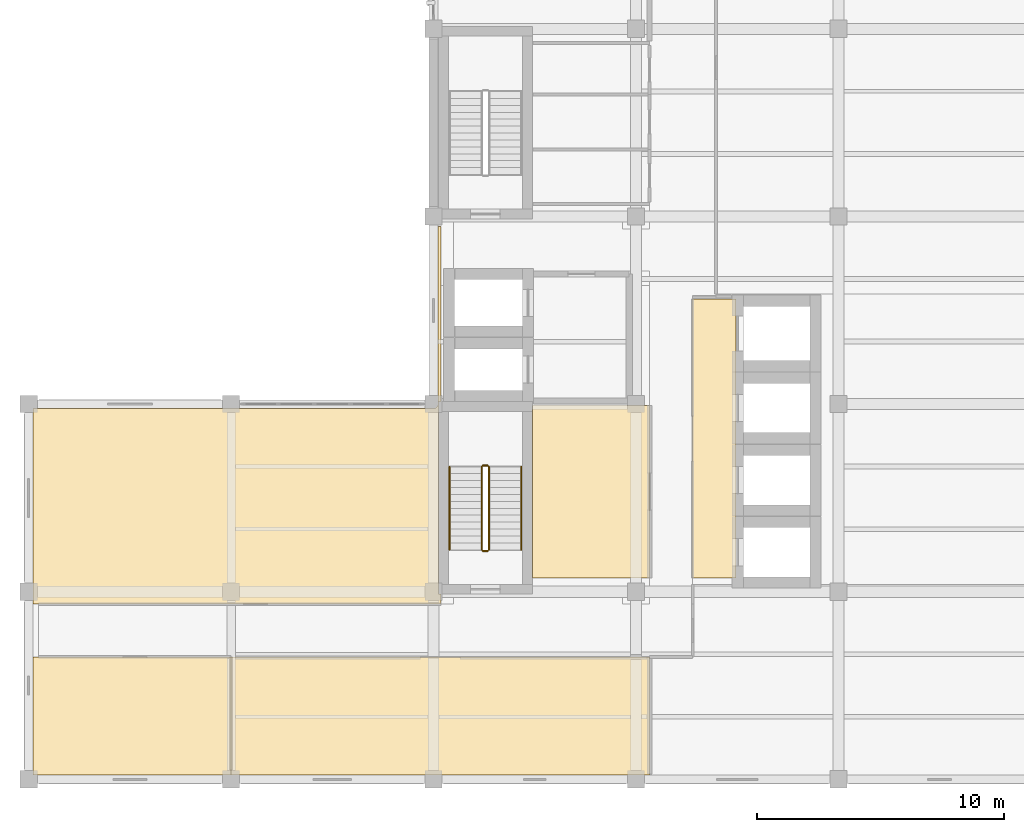
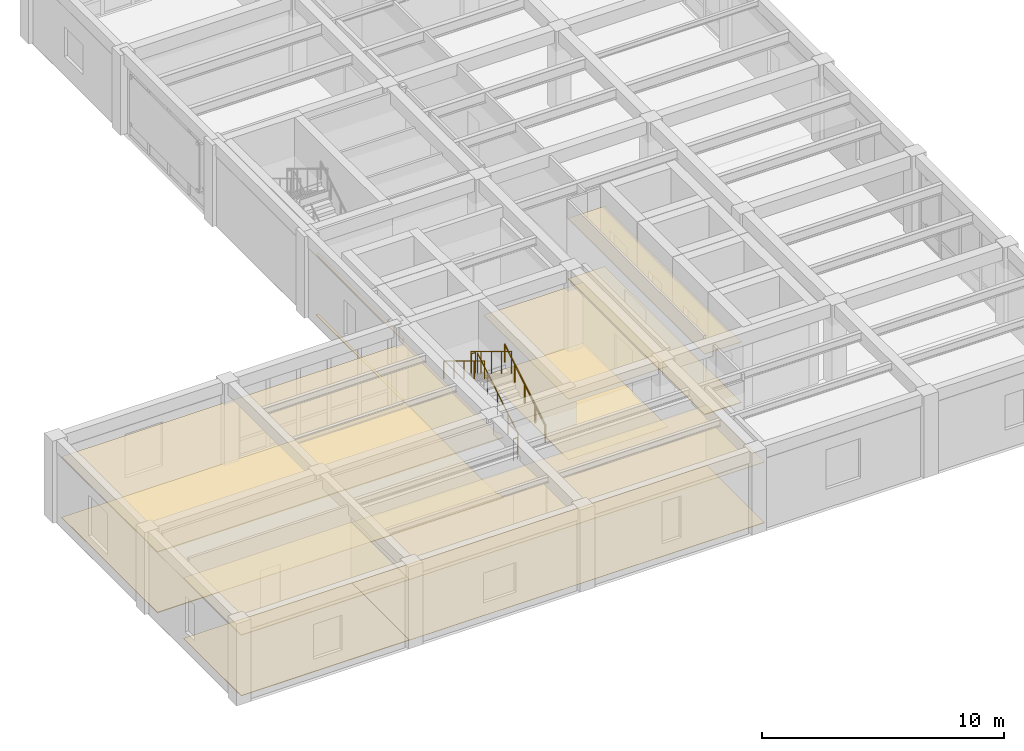
# One storey, part 10 of 13: 10 coverings, 6 railings.
"""IFC4 building model written with IfcOpenShell, lengths in metres."""

import ifcopenshell
import ifcopenshell.guid

model = None  # the IFC model being written
_history = None  # IfcOwnerHistory: only IFC2X3 demands one
_inside = {}  # id of a spatial element -> (the spatial element, [elements in it])
_under = {}  # id of a project, library or spatial element -> (it, [spatial elements below it])
_declared = {}  # id of a project -> (the project, [libraries it declares])
_typed = {}  # id of a type object -> (the type object, [elements of that type])
_made_of = {}  # id of a material, layer set ... -> (it, [elements and type objects made of it])


def new_model(schema):
    """Start an empty IFC model of exactly this schema.

    Asked for "IFC4X3", IfcOpenShell would pick the latest addendum, in which some entities
    have other attributes; the version numbers below select the first issue.
    IFC2X3 requires an IfcOwnerHistory on every rooted entity: one is made here for all.
    """
    global model, _history
    if schema == "IFC4X3":
        model = ifcopenshell.file(schema_version=(4, 3, 0, 0))
    else:
        model = ifcopenshell.file(schema=schema)
    _inside.clear()
    _under.clear()
    _declared.clear()
    _typed.clear()
    _made_of.clear()
    _history = None
    if model.schema == "IFC2X3":
        org = make("IfcOrganization", Name="unknown")
        user = make(
            "IfcPersonAndOrganization",
            ThePerson=make("IfcPerson", FamilyName="unknown"),
            TheOrganization=org,
        )
        app = make(
            "IfcApplication",
            ApplicationDeveloper=org,
            Version="unknown",
            ApplicationFullName="unknown",
            ApplicationIdentifier="unknown",
        )
        _history = make(
            "IfcOwnerHistory",
            OwningUser=user,
            OwningApplication=app,
            ChangeAction="ADDED",
            CreationDate=0,
        )
    return model


def make(cls, **values):
    """One entity of the class cls with the attributes given. An attribute that is None is left unset."""
    return model.create_entity(
        cls, **{name: value for name, value in values.items() if value is not None}
    )


def rooted(cls, **values):
    """An entity with a GlobalId (a new one), such as an element, a storey or a relation."""
    return make(cls, GlobalId=ifcopenshell.guid.new(), OwnerHistory=_history, **values)


def si_unit(unit_type, name, prefix=None):
    """IfcSIUnit, for example si_unit("LENGTHUNIT", "METRE", prefix="MILLI")."""
    return make("IfcSIUnit", UnitType=unit_type, Prefix=prefix, Name=name)


def assignment(units):
    """IfcUnitAssignment: the units of a project."""
    return None if units is None else make("IfcUnitAssignment", Units=units)


def point(xyz):
    """IfcCartesianPoint."""
    return None if xyz is None else make("IfcCartesianPoint", Coordinates=xyz)


def direction(xyz):
    """IfcDirection."""
    return None if xyz is None else make("IfcDirection", DirectionRatios=xyz)


def frame(location, z_axis=None, x_axis=None):
    """IfcAxis2Placement3D, a coordinate frame: its origin and axes. An axis left out is left unset."""
    return make(
        "IfcAxis2Placement3D",
        Location=point(location),
        Axis=direction(z_axis),
        RefDirection=direction(x_axis),
    )


def frame_2d(location, x_axis=None):
    """IfcAxis2Placement2D, a coordinate frame in the plane: its origin and x axis."""
    return make(
        "IfcAxis2Placement2D", Location=point(location), RefDirection=direction(x_axis)
    )


def origin():
    """The frame at (0, 0, 0) with its axes left unset."""
    return frame((0.0, 0.0, 0.0))


def origin_2d():
    """The frame at (0, 0) in the plane with its x axis left unset."""
    return frame_2d((0.0, 0.0))


def place(relative_to, where):
    """IfcLocalPlacement: puts the frame where relative to a parent placement (None: the world)."""
    return make(
        "IfcLocalPlacement", PlacementRelTo=relative_to, RelativePlacement=where
    )


def context(
    kind, dimensions, precision=None, world=None, true_north=None, identifier=None
):
    """IfcGeometricRepresentationContext, for example the 3D "Model" context."""
    return make(
        "IfcGeometricRepresentationContext",
        ContextIdentifier=identifier,
        ContextType=kind,
        CoordinateSpaceDimension=dimensions,
        Precision=precision,
        WorldCoordinateSystem=world,
        TrueNorth=true_north,
    )


def subcontext(parent, identifier, kind, view, scale=None):
    """IfcGeometricRepresentationSubContext, for example "Body" below "Model"."""
    return make(
        "IfcGeometricRepresentationSubContext",
        ContextIdentifier=identifier,
        ContextType=kind,
        ParentContext=parent,
        TargetScale=scale,
        TargetView=view,
    )


def project(units=None, contexts=None):
    """IfcProject with its units and contexts."""
    return rooted(
        "IfcProject",
        Name="project",
        RepresentationContexts=contexts,
        UnitsInContext=assignment(units),
    )


def spatial(cls, under=None, at=None, **own):
    """A site, building, storey or space (cls), placed at a placement, below another one or the project."""
    s = rooted(cls, ObjectPlacement=at, **own)
    if under is not None:
        _under.setdefault(under.id(), (under, []))[1].append(s)
    return s


def polyline(points):
    """IfcPolyline through the points."""
    return make("IfcPolyline", Points=[point(p) for p in points])


def profile(cls, at=None, kind="AREA", **sizes):
    """A parametric profile (cls). Its sizes go by their IFC names, for example OverallWidth=200.0."""
    return make(cls, ProfileType=kind, Position=at, **sizes)


def circle(**sizes):
    """IfcCircleProfileDef."""
    return profile("IfcCircleProfileDef", **sizes)


def outline(outer, holes=None, kind="AREA"):
    """IfcArbitraryClosedProfileDef: a profile drawn as a closed curve; with holes, ...WithVoids."""
    if holes is None:
        return make("IfcArbitraryClosedProfileDef", ProfileType=kind, OuterCurve=outer)
    return make(
        "IfcArbitraryProfileDefWithVoids",
        ProfileType=kind,
        OuterCurve=outer,
        InnerCurves=holes,
    )


def extrude(swept, where, along, depth):
    """IfcExtrudedAreaSolid: the profile swept, set in the frame where, extruded along a direction by depth."""
    return make(
        "IfcExtrudedAreaSolid",
        SweptArea=swept,
        Position=where,
        ExtrudedDirection=direction(along),
        Depth=depth,
    )


def shape(context_of_items, identifier, shape_type, items):
    """IfcShapeRepresentation: the items that make up one representation, for example the "Body"."""
    return make(
        "IfcShapeRepresentation",
        ContextOfItems=context_of_items,
        RepresentationIdentifier=identifier,
        RepresentationType=shape_type,
        Items=items,
    )


def material(Name=None, Category=None):
    """IfcMaterial."""
    return make("IfcMaterial", Name=Name, Category=Category)


def layer(
    of_material, thickness, ventilated=None, Name=None, Category=None, Priority=None
):
    """IfcMaterialLayer: one layer of a wall or slab, of a material (None: an air gap)."""
    return make(
        "IfcMaterialLayer",
        Material=of_material,
        LayerThickness=thickness,
        IsVentilated=ventilated,
        Name=Name,
        Category=Category,
        Priority=Priority,
    )


def layer_set(layers, Name=None):
    """IfcMaterialLayerSet."""
    return make("IfcMaterialLayerSet", MaterialLayers=layers, LayerSetName=Name)


def made_of(thing, what):
    """Note that an element or type object is made of a material, layer set ...; save() writes the relation."""
    if what is not None:
        _made_of.setdefault(what.id(), (what, []))[1].append(thing)
    return thing


def type_object(cls, material=None, **own):
    """A type object (cls), such as IfcWallType, which elements share."""
    return made_of(rooted(cls, **own), material)


def element(
    cls,
    number,
    at=None,
    inside=None,
    cuts=None,
    type_object=None,
    material=None,
    context=None,
    identifier="Body",
    shape_type=None,
    held_by="IfcProductDefinitionShape",
    body=None,
    shapes=None,
    **own,
):
    """One element of the class cls, such as IfcWall. Its Tag is "e" and its number.

    at: its placement. inside: the storey or other place that contains it. cuts: it is an
    opening in that element (IfcRelVoidsElement). A single representation is given by context,
    identifier, shape_type and body (its items); several are given by shapes. held_by: the class
    of the entity that holds the representations. save() writes the other relations.
    """
    e = rooted(cls, Tag="e%d" % number, ObjectPlacement=at, **own)
    if body is not None:
        shapes = [shape(context, identifier, shape_type, body)]
    if shapes is not None:
        e.Representation = make(held_by, Representations=shapes)
    if inside is not None:
        _inside.setdefault(inside.id(), (inside, []))[1].append(e)
    if cuts is not None:
        rooted(
            "IfcRelVoidsElement", RelatingBuildingElement=cuts, RelatedOpeningElement=e
        )
    if type_object is not None:
        _typed.setdefault(type_object.id(), (type_object, []))[1].append(e)
    return made_of(e, material)


def aggregate(whole, parts):
    """IfcRelAggregates: a whole, such as a stair, and the parts it consists of."""
    return rooted("IfcRelAggregates", RelatingObject=whole, RelatedObjects=parts)


def save(model, path):
    """Write the relations noted so far, then the file.

    IfcRelAggregates (storeys below a building ...), IfcRelContainedInSpatialStructure (elements
    in a storey), IfcRelDefinesByType, IfcRelAssociatesMaterial and IfcRelDeclares: one each for
    every whole, place, type object, material and project.
    """
    for whole, parts in _under.values():
        aggregate(whole, parts)
    for where, things in _inside.values():
        rooted(
            "IfcRelContainedInSpatialStructure",
            RelatedElements=things,
            RelatingStructure=where,
        )
    for kind, things in _typed.values():
        rooted("IfcRelDefinesByType", RelatedObjects=things, RelatingType=kind)
    for what, things in _made_of.values():
        rooted("IfcRelAssociatesMaterial", RelatedObjects=things, RelatingMaterial=what)
    for by, libraries in _declared.values():
        rooted("IfcRelDeclares", RelatingContext=by, RelatedDefinitions=libraries)
    model.write(path)


model = new_model("IFC4")

# Units and contexts
model_context = context("Model", 3, precision=1e-05, world=origin(), true_north=direction((0.0, 1.0)))
body_context = subcontext(model_context, "Body", "Model", "MODEL_VIEW")
ifc_project = project(units=[si_unit("LENGTHUNIT", "METRE"), si_unit("AREAUNIT", "SQUARE_METRE"), si_unit("VOLUMEUNIT", "CUBIC_METRE"), si_unit("PLANEANGLEUNIT", "RADIAN"), si_unit("MASSUNIT", "GRAM", prefix="KILO")], contexts=[model_context])

# Site, building, storey
site_placement = place(None, origin())
site = spatial("IfcSite", under=ifc_project, at=site_placement, CompositionType="ELEMENT")
building_placement = place(site_placement, origin())
building = spatial("IfcBuilding", under=site, at=building_placement, Name="Qandaris Square Conservatory and Botanical Centre", CompositionType="ELEMENT")
storey_placement = place(building_placement, frame((0.0, 0.0, 61.800048828125)))
storey = spatial("IfcBuildingStorey", under=building, at=storey_placement, Name="L14", CompositionType="ELEMENT", Elevation=61.800048828125)

# Coverings
ifc_material_1 = material(Name="Honed Qatari Limestone", Category="masonry")
ifc_layer_1 = layer(ifc_material_1, 0.030029296875)
ifc_layer_set_1 = layer_set([ifc_layer_1], Name="Honed Qatari Limestone")
covering_type_1 = type_object("IfcCoveringType", Name="Honed Qatari Limestone Concourse Paving", PredefinedType="FLOORING", material=ifc_layer_set_1)
covering_1_placement = place(storey_placement, origin())
element("IfcCovering", 1, at=covering_1_placement, inside=storey, type_object=covering_type_1, Name="Passenger Lift Lobby L14 Flooring", PredefinedType="FLOORING", context=body_context, shape_type="SweptSolid", body=[
    extrude(outline(polyline([(149.699951171875, 36.050048828125), (151.449951171875, 36.050048828125), (151.449951171875, 24.75), (149.699951171875, 24.75), (149.699951171875, 36.050048828125)])), origin(), (0.0, 0.0, 1.0), 0.030029296875),
])
covering_2_placement = place(storey_placement, origin())
element("IfcCovering", 2, at=covering_2_placement, inside=storey, type_object=covering_type_1, Name="Botanical Policy Research Laboratory Flooring", PredefinedType="FLOORING", context=body_context, shape_type="SweptSolid", body=[
    extrude(outline(polyline([(123.199951171875, 21.550048828125), (131.0, 21.550048828125), (131.0, 16.780029296875), (122.97998046875, 16.780029296875), (122.97998046875, 21.550048828125), (123.199951171875, 21.550048828125)])), origin(), (0.0, 0.0, 1.0), 0.030029296875),
])
covering_3_placement = place(storey_placement, origin())
element("IfcCovering", 3, at=covering_3_placement, inside=storey, type_object=covering_type_1, Name="Directorate Research Laboratory Flooring", PredefinedType="FLOORING", context=body_context, shape_type="SweptSolid", body=[
    extrude(outline(polyline([(139.235107421875, 31.62353515625), (139.252197265625, 31.627685546875), (139.268798828125, 31.6337890625), (139.284912109375, 31.641357421875), (139.300048828125, 31.650390625), (139.314208984375, 31.660888671875), (139.327392578125, 31.672607421875), (139.339111328125, 31.685791015625), (139.349609375, 31.699951171875), (139.358642578125, 31.715087890625), (139.3662109375, 31.731201171875), (139.372314453125, 31.747802734375), (139.37646484375, 31.764892578125), (139.379150390625, 31.782470703125), (139.3798828125, 31.800048828125), (139.3798828125, 39.0), (139.5, 39.0), (139.5, 31.89990234375), (139.39990234375, 31.89990234375), (139.39990234375, 24.10009765625), (139.5, 24.10009765625), (139.5, 23.699951171875), (123.199951171875, 23.699951171875), (122.97998046875, 23.699951171875), (122.97998046875, 31.6201171875), (139.199951171875, 31.6201171875), (139.217529296875, 31.620849609375), (139.235107421875, 31.62353515625)])), origin(), (0.0, 0.0, 1.0), 0.030029296875),
])
ifc_material_2 = material(Name="Gypsum Plasterboard", Category="gypsum")
ifc_layer_2 = layer(ifc_material_2, 0.02490234375)
ifc_layer_set_2 = layer_set([ifc_layer_2], Name="Gypsum Plasterboard")
covering_type_2 = type_object("IfcCoveringType", Name="Perforated Acoustic Lab Ceiling Tile", PredefinedType="CEILING", material=ifc_layer_set_2)
covering_4_placement = place(storey_placement, frame((0.0, 0.0, 3.050048828125)))
element("IfcCovering", 4, at=covering_4_placement, inside=storey, type_object=covering_type_2, Name="Electrical and Telecom Riser Room L14 Ceiling", PredefinedType="CEILING", context=body_context, shape_type="SweptSolid", body=[
    extrude(outline(polyline([(147.949951171875, 31.75), (147.949951171875, 24.75), (143.199951171875, 24.75), (143.199951171875, 31.75), (147.949951171875, 31.75)])), origin(), (0.0, 0.0, 1.0), 0.02490234375),
])
covering_5_placement = place(storey_placement, frame((0.0, 0.0, 3.050048828125)))
element("IfcCovering", 5, at=covering_5_placement, inside=storey, type_object=covering_type_2, Name="Passenger Lift Lobby L14 Ceiling", PredefinedType="CEILING", context=body_context, shape_type="SweptSolid", body=[
    extrude(outline(polyline([(149.699951171875, 36.050048828125), (151.449951171875, 36.050048828125), (151.449951171875, 24.75), (149.699951171875, 24.75), (149.699951171875, 36.050048828125)])), origin(), (0.0, 0.0, 1.0), 0.02490234375),
])
covering_6_placement = place(storey_placement, frame((0.0, 0.0, 3.050048828125)))
element("IfcCovering", 6, at=covering_6_placement, inside=storey, type_object=covering_type_2, Name="International Herbarium Exchange Suite Ceiling", PredefinedType="CEILING", context=body_context, shape_type="SweptSolid", body=[
    extrude(outline(polyline([(147.949951171875, 21.550048828125), (147.949951171875, 16.780029296875), (131.0, 16.780029296875), (131.0, 21.550048828125), (147.949951171875, 21.550048828125)])), origin(), (0.0, 0.0, 1.0), 0.02490234375),
])
ifc_material_3 = material(Name="Epoxy Resin Screed", Category="finish")
ifc_layer_3 = layer(ifc_material_3, 0.014892578125)
ifc_layer_set_3 = layer_set([ifc_layer_3], Name="Epoxy Resin Screed")
covering_type_3 = type_object("IfcCoveringType", Name="Seamless Epoxy Laboratory Flooring", PredefinedType="FLOORING", material=ifc_layer_set_3)
covering_7_placement = place(storey_placement, origin())
element("IfcCovering", 7, at=covering_7_placement, inside=storey, type_object=covering_type_3, Name="Electrical and Telecom Riser Room L14 Flooring", PredefinedType="FLOORING", context=body_context, shape_type="SweptSolid", body=[
    extrude(outline(polyline([(147.949951171875, 31.75), (147.949951171875, 24.75), (143.199951171875, 24.75), (143.199951171875, 31.75), (147.949951171875, 31.75)])), origin(), (0.0, 0.0, 1.0), 0.014892578125),
])
covering_8_placement = place(storey_placement, origin())
element("IfcCovering", 8, at=covering_8_placement, inside=storey, type_object=covering_type_3, Name="International Herbarium Exchange Suite Flooring", PredefinedType="FLOORING", context=body_context, shape_type="SweptSolid", body=[
    extrude(outline(polyline([(147.949951171875, 21.550048828125), (147.949951171875, 16.780029296875), (131.0, 16.780029296875), (131.0, 21.550048828125), (147.949951171875, 21.550048828125)])), origin(), (0.0, 0.0, 1.0), 0.014892578125),
])
ifc_material_4 = material(Name="Engineered Oak Timber", Category="wood")
ifc_layer_4 = layer(ifc_material_4, 0.0400390625)
ifc_layer_set_4 = layer_set([ifc_layer_4], Name="Engineered Oak Timber")
covering_type_4 = type_object("IfcCoveringType", Name="Slatted Oak Acoustic Gallery Ceiling", PredefinedType="CEILING", material=ifc_layer_set_4)
covering_9_placement = place(storey_placement, frame((0.0, 0.0, 3.050048828125)))
element("IfcCovering", 9, at=covering_9_placement, inside=storey, type_object=covering_type_4, Name="Botanical Policy Research Laboratory Ceiling", PredefinedType="CEILING", context=body_context, shape_type="SweptSolid", body=[
    extrude(outline(polyline([(123.199951171875, 21.550048828125), (131.0, 21.550048828125), (131.0, 16.780029296875), (122.97998046875, 16.780029296875), (122.97998046875, 21.550048828125), (123.199951171875, 21.550048828125)])), origin(), (0.0, 0.0, 1.0), 0.039794921875),
])
covering_10_placement = place(storey_placement, frame((0.0, 0.0, 3.050048828125)))
element("IfcCovering", 10, at=covering_10_placement, inside=storey, type_object=covering_type_4, Name="Directorate Research Laboratory Ceiling", PredefinedType="CEILING", context=body_context, shape_type="SweptSolid", body=[
    extrude(outline(polyline([(139.235107421875, 31.62353515625), (139.252197265625, 31.627685546875), (139.268798828125, 31.6337890625), (139.284912109375, 31.641357421875), (139.300048828125, 31.650390625), (139.314208984375, 31.660888671875), (139.327392578125, 31.672607421875), (139.339111328125, 31.685791015625), (139.349609375, 31.699951171875), (139.358642578125, 31.715087890625), (139.3662109375, 31.731201171875), (139.372314453125, 31.747802734375), (139.37646484375, 31.764892578125), (139.379150390625, 31.782470703125), (139.3798828125, 31.800048828125), (139.3798828125, 39.0), (139.5, 39.0), (139.5, 31.89990234375), (139.39990234375, 31.89990234375), (139.39990234375, 24.10009765625), (139.5, 24.10009765625), (139.5, 23.699951171875), (123.199951171875, 23.699951171875), (122.97998046875, 23.699951171875), (122.97998046875, 31.6201171875), (139.199951171875, 31.6201171875), (139.217529296875, 31.620849609375), (139.235107421875, 31.62353515625)])), origin(), (0.0, 0.0, 1.0), 0.039794921875),
])

# Railings
ifc_material_5 = material(Name="Stainless Steel", Category="steel")
railing_type_1 = type_object("IfcRailingType", Name="Stair Tubular Handrail 920mm", PredefinedType="HANDRAIL", material=ifc_material_5)
railing_1_placement = place(storey_placement, frame((142.75, 25.89990234375, 0.33837890625)))
element("IfcRailing", 11, at=railing_1_placement, inside=storey, type_object=railing_type_1, Name="L14 ST-1 stair handrail 1", PredefinedType="HANDRAIL", context=body_context, shape_type="SweptSolid", body=[
    extrude(circle(Radius=0.02392578125, at=origin_2d()), frame((0.0, 0.0, 0.89599609375), z_axis=(0.0, 0.855836976705, 0.517245656632), x_axis=(-1.0, 0.0, 0.0)), (0.0, 0.0, 1.0), 3.926025390625),
    extrude(circle(Radius=0.02099609375, at=origin_2d()), origin(), (0.0, 0.0, 1.0), 0.871826171875),
    extrude(circle(Radius=0.02099609375, at=origin_2d()), frame((0.0, 0.840087890625, 0.5078125)), (0.0, 0.0, 1.0), 0.871826171875),
    extrude(circle(Radius=0.02099609375, at=origin_2d()), frame((0.0, 1.68017578125, 1.015380859375)), (0.0, 0.0, 1.0), 0.871826171875),
    extrude(circle(Radius=0.02099609375, at=origin_2d()), frame((0.0, 2.52001953125, 1.52294921875)), (0.0, 0.0, 1.0), 0.871826171875),
    extrude(circle(Radius=0.02099609375, at=origin_2d()), frame((0.0, 3.360107421875, 2.03076171875)), (0.0, 0.0, 1.0), 0.871826171875),
])
railing_2_placement = place(storey_placement, frame((139.85009765625, 29.260009765625, 2.538330078125)))
element("IfcRailing", 12, at=railing_2_placement, inside=storey, type_object=railing_type_1, Name="L14 ST-1 stair handrail 2", PredefinedType="HANDRAIL", context=body_context, shape_type="SweptSolid", body=[
    extrude(circle(Radius=0.02392578125, at=origin_2d()), frame((0.0, 0.0, 0.89599609375), z_axis=(0.0, -0.855836976705, 0.517245656632), x_axis=(1.0, 0.0, 0.0)), (0.0, 0.0, 1.0), 3.926025390625),
    extrude(circle(Radius=0.02099609375, at=origin_2d()), origin(), (0.0, 0.0, 1.0), 0.871826171875),
    extrude(circle(Radius=0.02099609375, at=origin_2d()), frame((0.0, -0.840087890625, 0.5078125)), (0.0, 0.0, 1.0), 0.871826171875),
    extrude(circle(Radius=0.02099609375, at=origin_2d()), frame((0.0, -1.68017578125, 1.015380859375)), (0.0, 0.0, 1.0), 0.871826171875),
    extrude(circle(Radius=0.02099609375, at=origin_2d()), frame((0.0, -2.52001953125, 1.52294921875)), (0.0, 0.0, 1.0), 0.871826171875),
    extrude(circle(Radius=0.02099609375, at=origin_2d()), frame((0.0, -3.360107421875, 2.03076171875)), (0.0, 0.0, 1.0), 0.871826171875),
])
railing_type_2 = type_object("IfcRailingType", Name="Stairwell & Atrium Guardrail 1120mm", PredefinedType="GUARDRAIL", material=ifc_material_5)
railing_3_placement = place(storey_placement, frame((141.449951171875, 25.89990234375, 0.169189453125)))
element("IfcRailing", 13, at=railing_3_placement, inside=storey, type_object=railing_type_2, Name="L14 ST-1 stair guard 1", PredefinedType="GUARDRAIL", context=body_context, shape_type="SweptSolid", body=[
    extrude(circle(Radius=0.02392578125, at=origin_2d()), frame((0.0, 0.0, 1.09619140625), z_axis=(0.0, 0.855836976705, 0.517245656632), x_axis=(-1.0, 0.0, 0.0)), (0.0, 0.0, 1.0), 3.926025390625),
    extrude(circle(Radius=0.02099609375, at=origin_2d()), origin(), (0.0, 0.0, 1.0), 1.072021484375),
    extrude(circle(Radius=0.02099609375, at=origin_2d()), frame((0.0, 0.840087890625, 0.5078125)), (0.0, 0.0, 1.0), 1.072021484375),
    extrude(circle(Radius=0.02099609375, at=origin_2d()), frame((0.0, 1.68017578125, 1.015380859375)), (0.0, 0.0, 1.0), 1.072021484375),
    extrude(circle(Radius=0.02099609375, at=origin_2d()), frame((0.0, 2.52001953125, 1.52294921875)), (0.0, 0.0, 1.0), 1.072021484375),
    extrude(circle(Radius=0.02099609375, at=origin_2d()), frame((0.0, 3.360107421875, 2.03076171875)), (0.0, 0.0, 1.0), 1.072021484375),
])
railing_4_placement = place(storey_placement, frame((141.39990234375, 29.31005859375, 2.199951171875)))
element("IfcRailing", 14, at=railing_4_placement, inside=storey, type_object=railing_type_2, Name="L14 ST-1 stair guard 2", PredefinedType="GUARDRAIL", context=body_context, shape_type="SweptSolid", body=[
    extrude(circle(Radius=0.02392578125, at=origin_2d()), frame((0.0, 0.0, 1.09619140625), z_axis=(-1.0, 0.0, 0.0), x_axis=(0.0, -1.0, 0.0)), (0.0, 0.0, 1.0), 0.199951171875),
    extrude(circle(Radius=0.02099609375, at=origin_2d()), origin(), (0.0, 0.0, 1.0), 1.072021484375),
    extrude(circle(Radius=0.02099609375, at=origin_2d()), frame((-0.199951171875, 0.0, 0.0)), (0.0, 0.0, 1.0), 1.072021484375),
])
railing_5_placement = place(storey_placement, frame((141.14990234375, 29.260009765625, 2.369140625)))
element("IfcRailing", 15, at=railing_5_placement, inside=storey, type_object=railing_type_2, Name="L14 ST-1 stair guard 3", PredefinedType="GUARDRAIL", context=body_context, shape_type="SweptSolid", body=[
    extrude(circle(Radius=0.02392578125, at=origin_2d()), frame((0.0, 0.0, 1.09619140625), z_axis=(0.0, -0.855836976705, 0.517245656632), x_axis=(1.0, 0.0, 0.0)), (0.0, 0.0, 1.0), 3.926025390625),
    extrude(circle(Radius=0.02099609375, at=origin_2d()), origin(), (0.0, 0.0, 1.0), 1.072021484375),
    extrude(circle(Radius=0.02099609375, at=origin_2d()), frame((0.0, -0.840087890625, 0.5078125)), (0.0, 0.0, 1.0), 1.072021484375),
    extrude(circle(Radius=0.02099609375, at=origin_2d()), frame((0.0, -1.68017578125, 1.015380859375)), (0.0, 0.0, 1.0), 1.072021484375),
    extrude(circle(Radius=0.02099609375, at=origin_2d()), frame((0.0, -2.52001953125, 1.52294921875)), (0.0, 0.0, 1.0), 1.072021484375),
    extrude(circle(Radius=0.02099609375, at=origin_2d()), frame((0.0, -3.360107421875, 2.03076171875)), (0.0, 0.0, 1.0), 1.072021484375),
])
railing_6_placement = place(storey_placement, frame((141.39990234375, 25.85009765625, 0.0)))
element("IfcRailing", 16, at=railing_6_placement, inside=storey, type_object=railing_type_2, Name="L14 ST-1 stair guard 4", PredefinedType="GUARDRAIL", context=body_context, shape_type="SweptSolid", body=[
    extrude(circle(Radius=0.02392578125, at=origin_2d()), frame((0.0, 0.0, 1.09619140625), z_axis=(-1.0, 0.0, 0.0), x_axis=(0.0, -1.0, 0.0)), (0.0, 0.0, 1.0), 0.199951171875),
    extrude(circle(Radius=0.02099609375, at=origin_2d()), origin(), (0.0, 0.0, 1.0), 1.072021484375),
    extrude(circle(Radius=0.02099609375, at=origin_2d()), frame((-0.199951171875, 0.0, 0.0)), (0.0, 0.0, 1.0), 1.072021484375),
])

save(model, "model.ifc")
